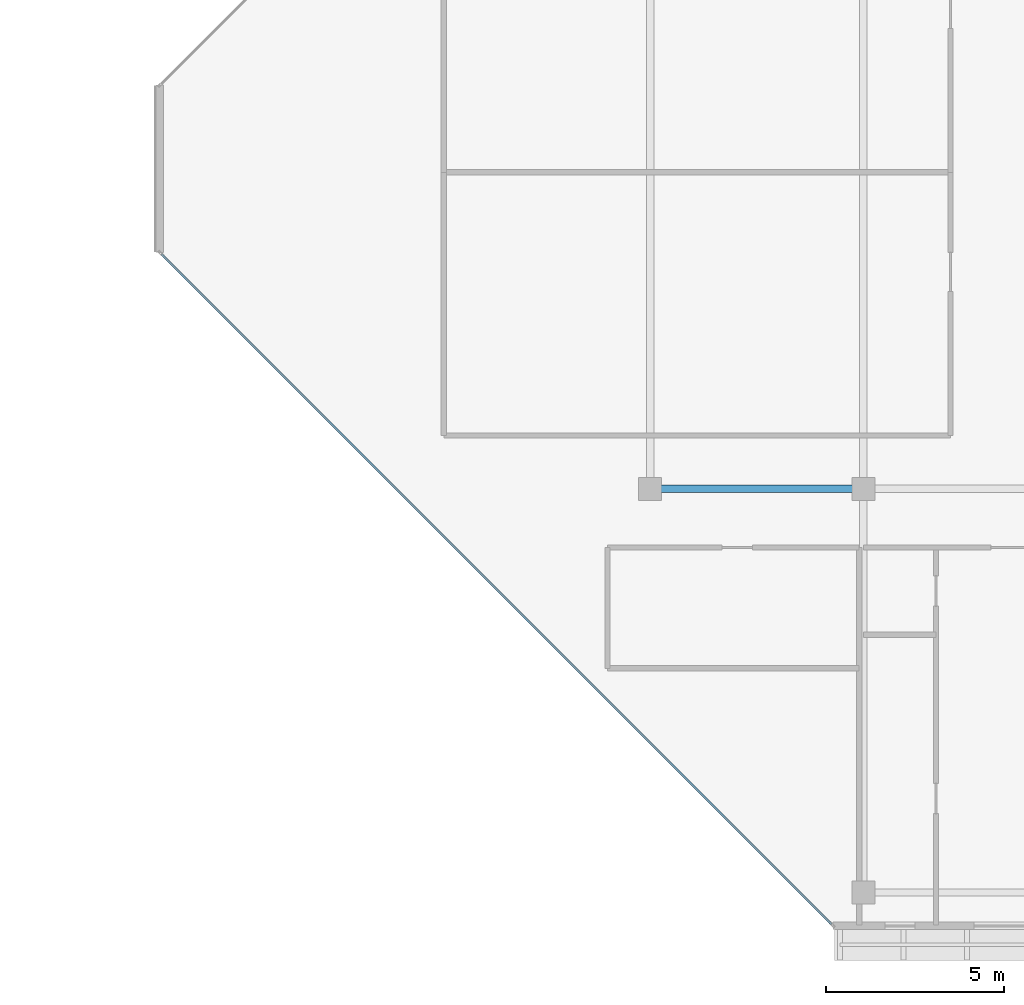
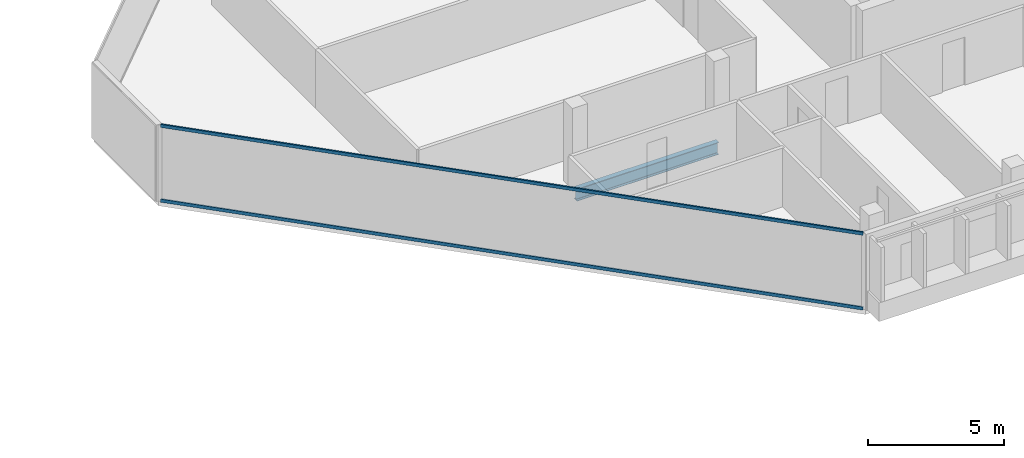
# One storey, part 9 of 28: 2 members, 1 beam, 1 element without a shape of its own.
"""IFC4 building model written with IfcOpenShell, lengths in metres."""

from ifc_helpers import new_model, si_unit, direction, frame, origin, origin_2d, place, context, subcontext, project, spatial, hollow_rectangle, i_section, extrude, material, layer, layer_set, material_profile, profile_set, type_object, element, aggregate, save


model = new_model("IFC4")

# Units and contexts
model_context = context("Model", 3, precision=1e-05, world=origin(), true_north=direction((0.0, 1.0)))
body_context = subcontext(model_context, "Body", "Model", "MODEL_VIEW")
ifc_project = project(units=[si_unit("LENGTHUNIT", "METRE"), si_unit("AREAUNIT", "SQUARE_METRE"), si_unit("VOLUMEUNIT", "CUBIC_METRE"), si_unit("PLANEANGLEUNIT", "RADIAN"), si_unit("MASSUNIT", "GRAM", prefix="KILO")], contexts=[model_context])

# Site, building, storey
site_placement = place(None, origin())
site = spatial("IfcSite", under=ifc_project, at=site_placement, CompositionType="ELEMENT")
building_placement = place(site_placement, origin())
building = spatial("IfcBuilding", under=site, at=building_placement, Name="Tanjung Sevakor Pilgrim Tower", CompositionType="ELEMENT")
storey_placement = place(building_placement, frame((0.0, 0.0, 242.550048828125)))
storey = spatial("IfcBuildingStorey", under=building, at=storey_placement, Name="L68", CompositionType="ELEMENT", Elevation=242.550048828125)

# Beam
ifc_material_1 = material(Name="Steel S355J2", Category="steel")
ifc_material_profile_1 = material_profile(ifc_material_1, i_section(OverallWidth=0.2119140625, OverallDepth=0.54443359375, WebThickness=0.0126953125, FlangeThickness=0.021240234375, FilletRadius=0.0126953125, at=origin_2d()))
ifc_profile_set_1 = profile_set([ifc_material_profile_1], Name="Steel S355J2")
beam_type = type_object("IfcBeamType", Name="BM-B-G5-UB_533x210x122", PredefinedType="BEAM", material=ifc_profile_set_1)
beam_placement = place(storey_placement, frame((66.0, 24.60009765625, -0.492431640625), z_axis=(1.0, 0.0, 0.0), x_axis=(0.0, 1.0, 0.0)))
element("IfcBeam", 1, at=beam_placement, inside=storey, type_object=beam_type, Name="L68 Primary Floor Girder EAST Y246-01", PredefinedType="BEAM", context=body_context, shape_type="SweptSolid", body=[
    extrude(i_section(OverallWidth=0.2119140625, OverallDepth=0.54443359375, WebThickness=0.0126953125, FlangeThickness=0.021240234375, FilletRadius=0.0126953125, at=origin_2d()), origin(), (0.0, 0.0, 1.0), 6.0),
])

# Curtain wall, members
ifc_material_2 = material(Name="Aluminium 6063-T6 and Low-E Glass", Category="aluminium")
ifc_layer = layer(ifc_material_2, 0.179931640625)
ifc_layer_set = layer_set([ifc_layer], Name="CW-SYS-CHAM")
curtain_wall_type = type_object("IfcCurtainWallType", Name="CW-SYS-CHAM", PredefinedType="NOTDEFINED", material=ifc_layer_set)
curtain_wall_placement = place(storey_placement, origin())
curtain_wall = element("IfcCurtainWall", 2, at=curtain_wall_placement, inside=storey, type_object=curtain_wall_type, Name="L68 Curtain Wall CW-CHM-L68-EAST-7", PredefinedType="NOTDEFINED")
ifc_material_3 = material(Name="Aluminium 6063-T6", Category="aluminium")
ifc_material_profile_2 = material_profile(ifc_material_3, hollow_rectangle(XDim=0.06494140625, YDim=0.139892578125, WallThickness=0.00390625, at=origin_2d()))
ifc_profile_set_2 = profile_set([ifc_material_profile_2], Name="Aluminium 6063-T6")
member_type = type_object("IfcMemberType", Name="TYPE-CWT-1", PredefinedType="USERDEFINED", material=ifc_profile_set_2)
member_1_placement = place(storey_placement, frame((52.255859375, 31.19970703125, 0.032470703125), z_axis=(0.707106781187, -0.707106781187, 0.0), x_axis=(0.707106781187, 0.707106781187, 0.0)))
member_1 = element("IfcMember", 3, at=member_1_placement, type_object=member_type, Name="CW-CHM transom 1.1", ObjectType="TRANSOM", PredefinedType="USERDEFINED", context=body_context, shape_type="SweptSolid", body=[
    extrude(hollow_rectangle(XDim=0.06494140625, YDim=0.139892578125, WallThickness=0.00390625, at=origin_2d()), origin(), (0.0, 0.0, 1.0), 26.649169921875),
])
member_2_placement = place(storey_placement, frame((52.255859375, 31.19970703125, 3.37744140625), z_axis=(0.707106781187, -0.707106781187, 0.0), x_axis=(0.707106781187, 0.707106781187, 0.0)))
member_2 = element("IfcMember", 4, at=member_2_placement, type_object=member_type, Name="CW-CHM transom 1.2", ObjectType="TRANSOM", PredefinedType="USERDEFINED", context=body_context, shape_type="SweptSolid", body=[
    extrude(hollow_rectangle(XDim=0.06494140625, YDim=0.139892578125, WallThickness=0.00390625, at=origin_2d()), origin(), (0.0, 0.0, 1.0), 26.649169921875),
])
aggregate(curtain_wall, [member_1, member_2])

save(model, "model.ifc")
